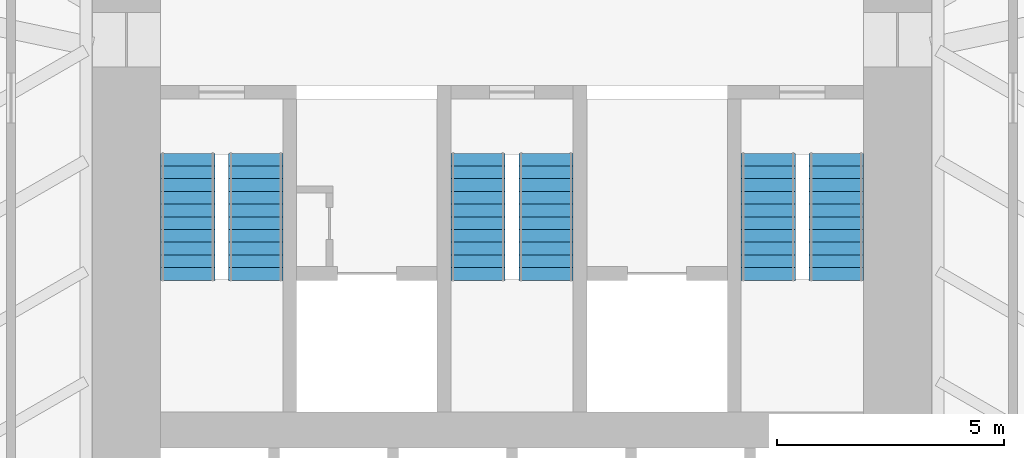
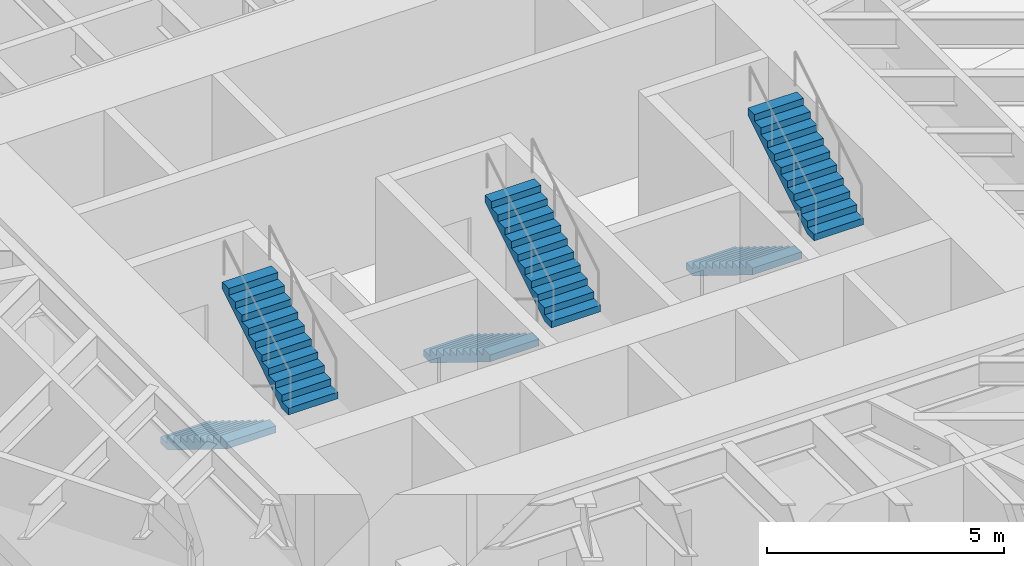
# One storey, part 16 of 17: 6 stair flights, 3 elements without a shape of their own.
"""IFC4 building model written with IfcOpenShell, lengths in metres."""

from ifc_helpers import new_model, si_unit, direction, frame, origin, place, context, subcontext, project, spatial, polyline, outline, extrude, material, type_object, element, aggregate, save


model = new_model("IFC4")

# Units and contexts
model_context = context("Model", 3, precision=1e-05, world=origin(), true_north=direction((0.0, 1.0)))
body_context = subcontext(model_context, "Body", "Model", "MODEL_VIEW")
ifc_project = project(units=[si_unit("LENGTHUNIT", "METRE"), si_unit("AREAUNIT", "SQUARE_METRE"), si_unit("VOLUMEUNIT", "CUBIC_METRE"), si_unit("PLANEANGLEUNIT", "RADIAN"), si_unit("MASSUNIT", "GRAM", prefix="KILO")], contexts=[model_context])

# Site, building, storey
site_placement = place(None, origin())
site = spatial("IfcSite", under=ifc_project, at=site_placement, CompositionType="ELEMENT")
building_placement = place(site_placement, origin())
building = spatial("IfcBuilding", under=site, at=building_placement, Name="Sandreach Pilgrim Tower", CompositionType="ELEMENT")
storey_placement = place(building_placement, frame((0.0, 0.0, 34.39990234375)))
storey = spatial("IfcBuildingStorey", under=building, at=storey_placement, Name="L07", CompositionType="ELEMENT", Elevation=34.39990234375)

# Stair, stair flights
ifc_material_1 = material(Name="Concrete 8000 psi", Category="concrete")
stair_type = type_object("IfcStairType", Name="Core exit stair", PredefinedType="HALF_TURN_STAIR", material=ifc_material_1)
stair_1_placement = place(storey_placement, origin())
stair_1 = element("IfcStair", 1, at=stair_1_placement, inside=storey, type_object=stair_type, Name="Exit stair ST1 L07", PredefinedType="HALF_TURN_STAIR")
ifc_material_2 = material(Name="Concrete 8000 psi", Category="concrete")
stair_flight_type = type_object("IfcStairFlightType", Name="Core stair flight 1200", PredefinedType="STRAIGHT", material=ifc_material_2)
stair_flight_1_placement = place(storey_placement, frame((-7.14990234375, -0.39990234375, 0.0), z_axis=(0.0, 0.0, 1.0), x_axis=(0.0, -1.0, 0.0)))
stair_flight_1 = element("IfcStairFlight", 2, at=stair_flight_1_placement, type_object=stair_flight_type, Name="ST1 flight 1", NumberOfRisers=11, NumberOfTreads=10, PredefinedType="STRAIGHT", RiserHeight=0.172727273, TreadLength=0.28, context=body_context, shape_type="SweptSolid", body=[
    extrude(outline(polyline([(0.0, 0.0), (0.0, 0.172607421875), (0.280029296875, 0.172607421875), (0.280029296875, 0.345458984375), (0.56005859375, 0.345458984375), (0.56005859375, 0.51806640625), (0.840087890625, 0.51806640625), (0.840087890625, 0.69091796875), (1.1201171875, 0.69091796875), (1.1201171875, 0.863525390625), (1.39990234375, 0.863525390625), (1.39990234375, 1.036376953125), (1.679931640625, 1.036376953125), (1.679931640625, 1.208984375), (1.9599609375, 1.208984375), (1.9599609375, 1.3818359375), (2.239990234375, 1.3818359375), (2.239990234375, 1.554443359375), (2.52001953125, 1.554443359375), (2.52001953125, 1.727294921875), (2.800048828125, 1.727294921875), (2.800048828125, 1.89990234375), (2.800048828125, 1.551025390625), (0.285400390625, 0.0), (0.0, 0.0)])), frame((0.0, 0.60009765625, 0.0), z_axis=(0.0, -1.0, 0.0), x_axis=(1.0, 0.0, 0.0)), (0.0, 0.0, 1.0), 1.199951171875),
])
stair_flight_2_placement = place(storey_placement, frame((-5.64990234375, -3.199951171875, 1.900146484375), z_axis=(0.0, 0.0, 1.0), x_axis=(0.0, 1.0, 0.0)))
stair_flight_2 = element("IfcStairFlight", 3, at=stair_flight_2_placement, type_object=stair_flight_type, Name="ST1 flight 2", NumberOfRisers=11, NumberOfTreads=10, PredefinedType="STRAIGHT", RiserHeight=0.172727273, TreadLength=0.28, context=body_context, shape_type="SweptSolid", body=[
    extrude(outline(polyline([(0.0, 0.0), (0.0, 0.172607421875), (0.280029296875, 0.172607421875), (0.280029296875, 0.345458984375), (0.56005859375, 0.345458984375), (0.56005859375, 0.51806640625), (0.840087890625, 0.51806640625), (0.840087890625, 0.69091796875), (1.1201171875, 0.69091796875), (1.1201171875, 0.863525390625), (1.39990234375, 0.863525390625), (1.39990234375, 1.036376953125), (1.679931640625, 1.036376953125), (1.679931640625, 1.208984375), (1.9599609375, 1.208984375), (1.9599609375, 1.3818359375), (2.239990234375, 1.3818359375), (2.239990234375, 1.554443359375), (2.52001953125, 1.554443359375), (2.52001953125, 1.727294921875), (2.800048828125, 1.727294921875), (2.800048828125, 1.89990234375), (2.800048828125, 1.551025390625), (0.285400390625, 0.0), (0.0, 0.0)])), frame((0.0, 0.60009765625, 0.0), z_axis=(0.0, -1.0, 0.0), x_axis=(1.0, 0.0, 0.0)), (0.0, 0.0, 1.0), 1.199951171875),
])
aggregate(stair_1, [stair_flight_1, stair_flight_2])

stair_2_placement = place(storey_placement, origin())
stair_2 = element("IfcStair", 4, at=stair_2_placement, inside=storey, type_object=stair_type, Name="Exit stair ST3 L07", PredefinedType="HALF_TURN_STAIR")
stair_flight_3_placement = place(storey_placement, frame((-0.75, -0.39990234375, 0.0), z_axis=(0.0, 0.0, 1.0), x_axis=(0.0, -1.0, 0.0)))
stair_flight_3 = element("IfcStairFlight", 5, at=stair_flight_3_placement, type_object=stair_flight_type, Name="ST3 flight 1", NumberOfRisers=11, NumberOfTreads=10, PredefinedType="STRAIGHT", RiserHeight=0.172727273, TreadLength=0.28, context=body_context, shape_type="SweptSolid", body=[
    extrude(outline(polyline([(0.0, 0.0), (0.0, 0.172607421875), (0.280029296875, 0.172607421875), (0.280029296875, 0.345458984375), (0.56005859375, 0.345458984375), (0.56005859375, 0.51806640625), (0.840087890625, 0.51806640625), (0.840087890625, 0.69091796875), (1.1201171875, 0.69091796875), (1.1201171875, 0.863525390625), (1.39990234375, 0.863525390625), (1.39990234375, 1.036376953125), (1.679931640625, 1.036376953125), (1.679931640625, 1.208984375), (1.9599609375, 1.208984375), (1.9599609375, 1.3818359375), (2.239990234375, 1.3818359375), (2.239990234375, 1.554443359375), (2.52001953125, 1.554443359375), (2.52001953125, 1.727294921875), (2.800048828125, 1.727294921875), (2.800048828125, 1.89990234375), (2.800048828125, 1.551025390625), (0.285400390625, 0.0), (0.0, 0.0)])), frame((0.0, 0.60009765625, 0.0), z_axis=(0.0, -1.0, 0.0), x_axis=(1.0, 0.0, 0.0)), (0.0, 0.0, 1.0), 1.199951171875),
])
stair_flight_4_placement = place(storey_placement, frame((0.75, -3.199951171875, 1.900146484375), z_axis=(0.0, 0.0, 1.0), x_axis=(0.0, 1.0, 0.0)))
stair_flight_4 = element("IfcStairFlight", 6, at=stair_flight_4_placement, type_object=stair_flight_type, Name="ST3 flight 2", NumberOfRisers=11, NumberOfTreads=10, PredefinedType="STRAIGHT", RiserHeight=0.172727273, TreadLength=0.28, context=body_context, shape_type="SweptSolid", body=[
    extrude(outline(polyline([(0.0, 0.0), (0.0, 0.172607421875), (0.280029296875, 0.172607421875), (0.280029296875, 0.345458984375), (0.56005859375, 0.345458984375), (0.56005859375, 0.51806640625), (0.840087890625, 0.51806640625), (0.840087890625, 0.69091796875), (1.1201171875, 0.69091796875), (1.1201171875, 0.863525390625), (1.39990234375, 0.863525390625), (1.39990234375, 1.036376953125), (1.679931640625, 1.036376953125), (1.679931640625, 1.208984375), (1.9599609375, 1.208984375), (1.9599609375, 1.3818359375), (2.239990234375, 1.3818359375), (2.239990234375, 1.554443359375), (2.52001953125, 1.554443359375), (2.52001953125, 1.727294921875), (2.800048828125, 1.727294921875), (2.800048828125, 1.89990234375), (2.800048828125, 1.551025390625), (0.285400390625, 0.0), (0.0, 0.0)])), frame((0.0, 0.60009765625, 0.0), z_axis=(0.0, -1.0, 0.0), x_axis=(1.0, 0.0, 0.0)), (0.0, 0.0, 1.0), 1.199951171875),
])
aggregate(stair_2, [stair_flight_3, stair_flight_4])

stair_3_placement = place(storey_placement, origin())
stair_3 = element("IfcStair", 7, at=stair_3_placement, inside=storey, type_object=stair_type, Name="Exit stair ST2 L07", PredefinedType="HALF_TURN_STAIR")
stair_flight_5_placement = place(storey_placement, frame((5.64990234375, -0.39990234375, 0.0), z_axis=(0.0, 0.0, 1.0), x_axis=(0.0, -1.0, 0.0)))
stair_flight_5 = element("IfcStairFlight", 8, at=stair_flight_5_placement, type_object=stair_flight_type, Name="ST2 flight 1", NumberOfRisers=11, NumberOfTreads=10, PredefinedType="STRAIGHT", RiserHeight=0.172727273, TreadLength=0.28, context=body_context, shape_type="SweptSolid", body=[
    extrude(outline(polyline([(0.0, 0.0), (0.0, 0.172607421875), (0.280029296875, 0.172607421875), (0.280029296875, 0.345458984375), (0.56005859375, 0.345458984375), (0.56005859375, 0.51806640625), (0.840087890625, 0.51806640625), (0.840087890625, 0.69091796875), (1.1201171875, 0.69091796875), (1.1201171875, 0.863525390625), (1.39990234375, 0.863525390625), (1.39990234375, 1.036376953125), (1.679931640625, 1.036376953125), (1.679931640625, 1.208984375), (1.9599609375, 1.208984375), (1.9599609375, 1.3818359375), (2.239990234375, 1.3818359375), (2.239990234375, 1.554443359375), (2.52001953125, 1.554443359375), (2.52001953125, 1.727294921875), (2.800048828125, 1.727294921875), (2.800048828125, 1.89990234375), (2.800048828125, 1.551025390625), (0.285400390625, 0.0), (0.0, 0.0)])), frame((0.0, 0.60009765625, 0.0), z_axis=(0.0, -1.0, 0.0), x_axis=(1.0, 0.0, 0.0)), (0.0, 0.0, 1.0), 1.199951171875),
])
stair_flight_6_placement = place(storey_placement, frame((7.14990234375, -3.199951171875, 1.900146484375), z_axis=(0.0, 0.0, 1.0), x_axis=(0.0, 1.0, 0.0)))
stair_flight_6 = element("IfcStairFlight", 9, at=stair_flight_6_placement, type_object=stair_flight_type, Name="ST2 flight 2", NumberOfRisers=11, NumberOfTreads=10, PredefinedType="STRAIGHT", RiserHeight=0.172727273, TreadLength=0.28, context=body_context, shape_type="SweptSolid", body=[
    extrude(outline(polyline([(0.0, 0.0), (0.0, 0.172607421875), (0.280029296875, 0.172607421875), (0.280029296875, 0.345458984375), (0.56005859375, 0.345458984375), (0.56005859375, 0.51806640625), (0.840087890625, 0.51806640625), (0.840087890625, 0.69091796875), (1.1201171875, 0.69091796875), (1.1201171875, 0.863525390625), (1.39990234375, 0.863525390625), (1.39990234375, 1.036376953125), (1.679931640625, 1.036376953125), (1.679931640625, 1.208984375), (1.9599609375, 1.208984375), (1.9599609375, 1.3818359375), (2.239990234375, 1.3818359375), (2.239990234375, 1.554443359375), (2.52001953125, 1.554443359375), (2.52001953125, 1.727294921875), (2.800048828125, 1.727294921875), (2.800048828125, 1.89990234375), (2.800048828125, 1.551025390625), (0.285400390625, 0.0), (0.0, 0.0)])), frame((0.0, 0.60009765625, 0.0), z_axis=(0.0, -1.0, 0.0), x_axis=(1.0, 0.0, 0.0)), (0.0, 0.0, 1.0), 1.199951171875),
])
aggregate(stair_3, [stair_flight_5, stair_flight_6])

save(model, "model.ifc")
